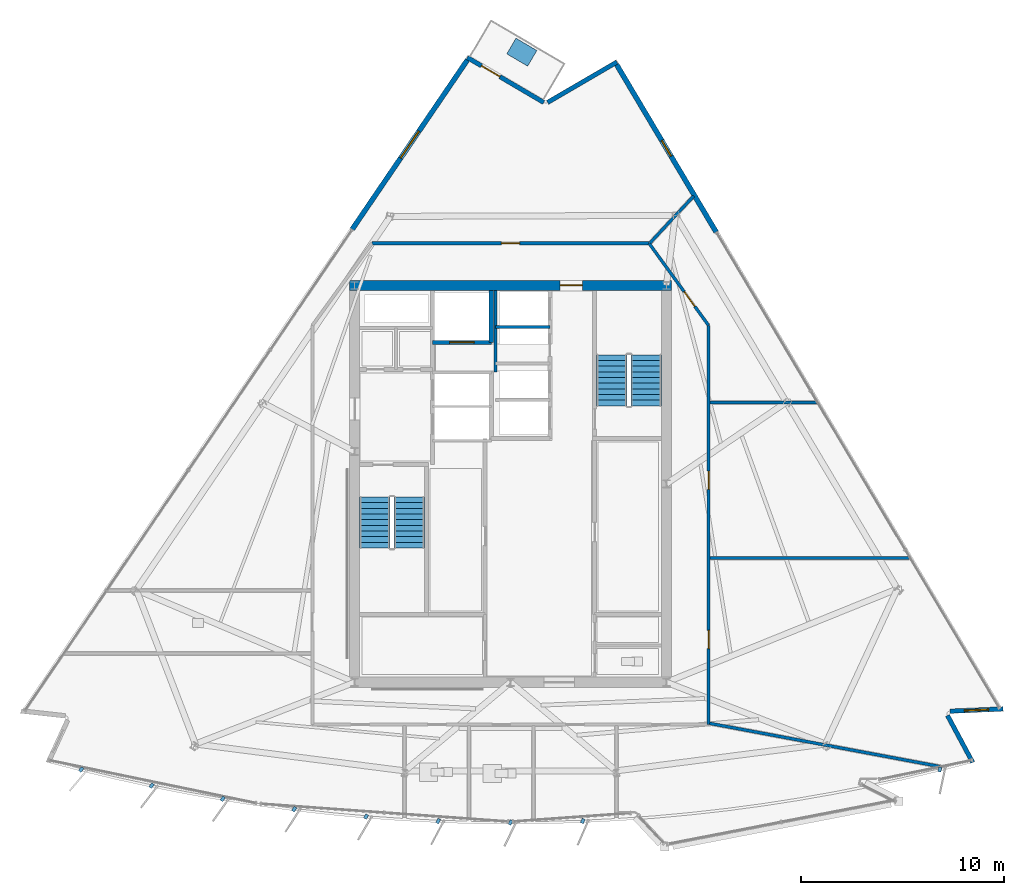
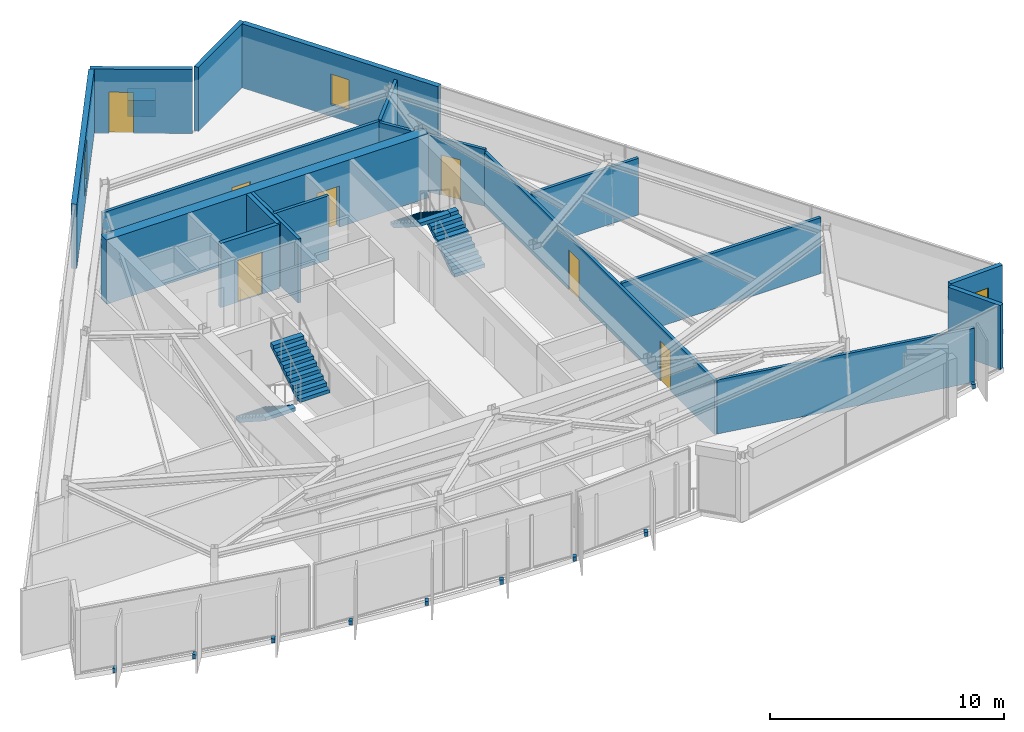
# One storey, part 8 of 13: 18 walls, 10 discrete accessories, 7 doors, 4 stair flights, 3 windows, 10 openings, 2 elements without a shape of their own.
"""IFC4 building model written with IfcOpenShell, lengths in metres."""

from ifc_helpers import new_model, si_unit, direction, frame, frame_2d, origin, origin_2d, place, context, subcontext, project, spatial, polyline, rectangle, outline, extrude, material, layer, layer_set, type_object, element, fill, aggregate, save


model = new_model("IFC4")

# Units and contexts
model_context = context("Model", 3, precision=1e-05, world=origin(), true_north=direction((0.0, 1.0)))
body_context = subcontext(model_context, "Body", "Model", "MODEL_VIEW")
ifc_project = project(units=[si_unit("LENGTHUNIT", "METRE"), si_unit("AREAUNIT", "SQUARE_METRE"), si_unit("VOLUMEUNIT", "CUBIC_METRE"), si_unit("PLANEANGLEUNIT", "RADIAN"), si_unit("MASSUNIT", "GRAM", prefix="KILO")], contexts=[model_context])

# Site, building, storey
site_placement = place(None, origin())
site = spatial("IfcSite", under=ifc_project, at=site_placement, CompositionType="ELEMENT")
building_placement = place(site_placement, origin())
building = spatial("IfcBuilding", under=site, at=building_placement, Name="Savorim Split Tower", CompositionType="ELEMENT")
storey_placement = place(building_placement, frame((0.0, 0.0, 265.199951171875)))
storey = spatial("IfcBuildingStorey", under=building, at=storey_placement, Name="L70", CompositionType="ELEMENT", Elevation=265.199951171875)

# Wall, opening, door
ifc_material_1 = material(Name="Concrete C60/75", Category="concrete")
ifc_layer_1 = layer(ifc_material_1, 0.5)
ifc_layer_set_1 = layer_set([ifc_layer_1], Name="WAL-COR-SH500")
wall_type_1 = type_object("IfcWallType", Name="WAL-COR-SH500", PredefinedType="SHEAR", material=ifc_layer_set_1)
wall_1_placement = place(storey_placement, frame((7.949951171875, 10.199951171875, 0.0), z_axis=(0.0, 0.0, 1.0), x_axis=(-1.0, 0.0, 0.0)))
wall_1 = element("IfcWall", 1, at=wall_1_placement, inside=storey, type_object=wall_type_1, Name="L70 Offset Core North Shear Wall", PredefinedType="SHEAR", context=body_context, shape_type="SweptSolid", body=[
    extrude(rectangle(XDim=15.89990234375, YDim=0.5, at=frame_2d((7.949951171875, 0.0))), origin(), (0.0, 0.0, 1.0), 3.35009765625),
])
opening_1_placement = place(wall_1_placement, frame((4.39990234375, 0.0, 0.0)))
opening_1 = element("IfcOpeningElement", 2, at=opening_1_placement, cuts=wall_1, Name="Opening DI-03", PredefinedType="OPENING", context=body_context, shape_type="SweptSolid", body=[
    extrude(rectangle(XDim=1.10009765625, YDim=2.14990234375, at=frame_2d((0.550048828125, 1.074951171875))), frame((0.0, 0.260009765625, 0.0), z_axis=(0.0, -1.0, 0.0), x_axis=(1.0, 0.0, 0.0)), (0.0, 0.0, 1.0), 0.52001953125),
])
ifc_material_2 = material(Name="Timber Fire Door Leaf", Category="wood")
door_type_1 = type_object("IfcDoorType", Name="DOR-FIR-1100", OperationType="NOTDEFINED", PredefinedType="DOOR", material=ifc_material_2)
door_1_placement = place(opening_1_placement, origin())
door_1 = element("IfcDoor", 3, at=door_1_placement, inside=storey, type_object=door_type_1, Name="DOR-L70-COR-NLOB - L70 North Corridor Lobby Fire Door", OperationType="SINGLE_SWING_LEFT", OverallHeight=2.14990234375, OverallWidth=1.10009765625, PredefinedType="DOOR", context=body_context, shape_type="SweptSolid", body=[
    extrude(rectangle(XDim=1.10009765625, YDim=2.14990234375, at=frame_2d((0.550048828125, 1.074951171875))), frame((0.0, 0.02490234375, 0.0), z_axis=(0.0, -1.0, 0.0), x_axis=(1.0, 0.0, 0.0)), (0.0, 0.0, 1.0), 0.050048828125),
])
fill(opening_1, door_1)

# Wall
ifc_material_3 = material(Name="Precast concrete C40/50", Category="concrete")
ifc_layer_2 = layer(ifc_material_3, 0.219970703125)
ifc_layer_set_2 = layer_set([ifc_layer_2], Name="WAL-EXT-CRN220")
wall_type_2 = type_object("IfcWallType", Name="WAL-EXT-CRN220", PredefinedType="SOLIDWALL", material=ifc_layer_set_2)
wall_2_placement = place(storey_placement, frame((21.58056640625, -11.03955078125, 0.0), z_axis=(0.0, 0.0, 1.0), x_axis=(0.472791303324, -0.881174434208, 0.0)))
element("IfcWall", 4, at=wall_2_placement, inside=storey, type_object=wall_type_2, Name="L70 Notched Corner Facade Wall SE1", PredefinedType="SOLIDWALL", context=body_context, shape_type="SweptSolid", body=[
    extrude(rectangle(XDim=2.626953125, YDim=0.219970703125, at=frame_2d((1.3134765625, 0.0))), origin(), (0.0, 0.0, 1.0), 3.35009765625),
])

# Wall, opening, window
wall_3_placement = place(storey_placement, frame((24.32421875, -10.71435546875, 0.0), z_axis=(0.0, 0.0, 1.0), x_axis=(-0.999095924753, -0.042512740932, 0.0)))
wall_3 = element("IfcWall", 5, at=wall_3_placement, inside=storey, type_object=wall_type_2, Name="L70 Notched Corner Facade Wall SE", PredefinedType="SOLIDWALL", context=body_context, shape_type="SweptSolid", body=[
    extrude(rectangle(XDim=2.62451171875, YDim=0.219970703125, at=frame_2d((1.312255859375, 0.0))), origin(), (0.0, 0.0, 1.0), 3.35009765625),
])
opening_2_placement = place(wall_3_placement, frame((0.712158203125, 0.0, 0.6201171875)))
opening_2 = element("IfcOpeningElement", 6, at=opening_2_placement, cuts=wall_3, Name="Opening WN-08", PredefinedType="OPENING", context=body_context, shape_type="SweptSolid", body=[
    extrude(rectangle(XDim=1.199951171875, YDim=1.800048828125, at=frame_2d((0.60009765625, 0.89990234375))), frame((0.0, 0.119873046875, 0.0), z_axis=(0.0, -1.0, 0.0), x_axis=(1.0, 0.0, 0.0)), (0.0, 0.0, 1.0), 0.239990234375),
])
ifc_material_4 = material(Name="Low-E Operable Double Glazing", Category="glass")
window_type_1 = type_object("IfcWindowType", Name="WIN-TWR-1200x1800", PartitioningType="SINGLE_PANEL", PredefinedType="WINDOW", material=ifc_material_4)
window_1_placement = place(opening_2_placement, origin())
window_1 = element("IfcWindow", 7, at=window_1_placement, inside=storey, type_object=window_type_1, Name="L70 Operable Corner Window SE", OverallHeight=1.800048828125, OverallWidth=1.199951171875, PartitioningType="SINGLE_PANEL", PredefinedType="WINDOW", context=body_context, shape_type="SweptSolid", body=[
    extrude(rectangle(XDim=1.199951171875, YDim=1.800048828125, at=frame_2d((0.60009765625, 0.89990234375))), frame((0.0, 0.030029296875, 0.0), z_axis=(0.0, -1.0, 0.0), x_axis=(1.0, 0.0, 0.0)), (0.0, 0.0, 1.0), 0.06005859375),
])
fill(opening_2, window_1)

# Wall
wall_4_placement = place(storey_placement, frame((1.832275390625, 19.233642578125, 0.0), z_axis=(0.0, 0.0, 1.0), x_axis=(0.86397765749, 0.503530145432, 0.0)))
element("IfcWall", 8, at=wall_4_placement, inside=storey, type_object=wall_type_2, Name="L70 Notched Corner Facade Wall NE1", PredefinedType="SOLIDWALL", context=body_context, shape_type="SweptSolid", body=[
    extrude(rectangle(XDim=3.963623046875, YDim=0.219970703125, at=frame_2d((1.98193359375, 0.0))), origin(), (0.0, 0.0, 1.0), 3.35009765625),
])

# Wall, opening, door
wall_5_placement = place(storey_placement, frame((-2.1337890625, 21.453125, 0.0), z_axis=(0.0, 0.0, 1.0), x_axis=(0.862106131527, -0.506727755292, 0.0)))
wall_5 = element("IfcWall", 9, at=wall_5_placement, inside=storey, type_object=wall_type_2, Name="L70 Notched Corner Facade Wall N", PredefinedType="SOLIDWALL", context=body_context, shape_type="SweptSolid", body=[
    extrude(rectangle(XDim=4.379638671875, YDim=0.219970703125, at=frame_2d((2.18994140625, 0.0))), origin(), (0.0, 0.0, 1.0), 3.35009765625),
])
opening_3_placement = place(wall_5_placement, frame((0.814697265625, 0.0, 0.0)))
opening_3 = element("IfcOpeningElement", 10, at=opening_3_placement, cuts=wall_5, Name="Opening DB-01", PredefinedType="OPENING", context=body_context, shape_type="SweptSolid", body=[
    extrude(rectangle(XDim=1.050048828125, YDim=2.14990234375, at=frame_2d((0.52490234375, 1.074951171875))), frame((0.0, 0.119873046875, 0.0), z_axis=(0.0, -1.0, 0.0), x_axis=(1.0, 0.0, 0.0)), (0.0, 0.0, 1.0), 0.239990234375),
])
ifc_material_5 = material(Name="Charcoal Anodised Aluminium", Category="aluminium")
door_type_2 = type_object("IfcDoorType", Name="DOR-BAL-1050", OperationType="NOTDEFINED", PredefinedType="DOOR", material=ifc_material_5)
door_2_placement = place(opening_3_placement, origin())
door_2 = element("IfcDoor", 11, at=door_2_placement, inside=storey, type_object=door_type_2, Name="DOR-L70-TBAL-N - L70 Planted Tree Balcony Door N", OperationType="SINGLE_SWING_LEFT", OverallHeight=2.14990234375, OverallWidth=1.050048828125, PredefinedType="DOOR", context=body_context, shape_type="SweptSolid", body=[
    extrude(rectangle(XDim=1.050048828125, YDim=2.14990234375, at=frame_2d((0.52490234375, 1.074951171875))), frame((0.0, 0.02490234375, 0.0), z_axis=(0.0, -1.0, 0.0), x_axis=(1.0, 0.0, 0.0)), (0.0, 0.0, 1.0), 0.050048828125),
])
fill(opening_3, door_2)

# Wall, opening, window
ifc_layer_3 = layer(ifc_material_3, 0.25)
ifc_layer_set_3 = layer_set([ifc_layer_3], Name="WAL-EXT-SPN250")
wall_type_3 = type_object("IfcWallType", Name="WAL-EXT-SPN250", PredefinedType="SOLIDWALL", material=ifc_layer_set_3)
wall_6_placement = place(storey_placement, frame((5.240234375, 21.10302734375, 0.0), z_axis=(0.0, 0.0, 1.0), x_axis=(0.511088566076, -0.859528055171, 0.0)))
wall_6 = element("IfcWall", 12, at=wall_6_placement, inside=storey, type_object=wall_type_3, Name="L70 East Operable Window Pier", PredefinedType="SOLIDWALL", context=body_context, shape_type="SweptSolid", body=[
    extrude(rectangle(XDim=9.62158203125, YDim=0.25, at=frame_2d((4.810791015625, 0.0))), origin(), (0.0, 0.0, 1.0), 3.35009765625),
])
opening_4_placement = place(wall_6_placement, frame((4.36083984375, 0.0, 0.6201171875)))
opening_4 = element("IfcOpeningElement", 13, at=opening_4_placement, cuts=wall_6, Name="Opening WN-10", PredefinedType="OPENING", context=body_context, shape_type="SweptSolid", body=[
    extrude(rectangle(XDim=0.89990234375, YDim=1.60009765625, at=frame_2d((0.449951171875, 0.800048828125))), frame((0.0, 0.135009765625, 0.0), z_axis=(0.0, -1.0, 0.0), x_axis=(1.0, 0.0, 0.0)), (0.0, 0.0, 1.0), 0.27001953125),
])
window_type_2 = type_object("IfcWindowType", Name="WIN-TWR-900x1600", PartitioningType="SINGLE_PANEL", PredefinedType="WINDOW", material=ifc_material_4)
window_2_placement = place(opening_4_placement, origin())
window_2 = element("IfcWindow", 14, at=window_2_placement, inside=storey, type_object=window_type_2, Name="L70 East Operable Ventilation Window", OverallHeight=1.60009765625, OverallWidth=0.89990234375, PartitioningType="SINGLE_PANEL", PredefinedType="WINDOW", context=body_context, shape_type="SweptSolid", body=[
    extrude(rectangle(XDim=0.89990234375, YDim=1.60009765625, at=frame_2d((0.449951171875, 0.800048828125))), frame((0.0, 0.030029296875, 0.0), z_axis=(0.0, -1.0, 0.0), x_axis=(1.0, 0.0, 0.0)), (0.0, 0.0, 1.0), 0.06005859375),
])
fill(opening_4, window_2)

wall_7_placement = place(storey_placement, frame((-7.81689453125, 12.970947265625, 0.0), z_axis=(0.0, 0.0, 1.0), x_axis=(0.562474530687, 0.826814611826, 0.0)))
wall_7 = element("IfcWall", 15, at=wall_7_placement, inside=storey, type_object=wall_type_3, Name="L70 West Operable Window Pier", PredefinedType="SOLIDWALL", context=body_context, shape_type="SweptSolid", body=[
    extrude(rectangle(XDim=10.106689453125, YDim=0.25, at=frame_2d((5.05322265625, 0.0))), origin(), (0.0, 0.0, 1.0), 3.35009765625),
])
opening_5_placement = place(wall_7_placement, frame((4.25341796875, 0.0, 0.6201171875)))
opening_5 = element("IfcOpeningElement", 16, at=opening_5_placement, cuts=wall_7, Name="Opening WN-05", PredefinedType="OPENING", context=body_context, shape_type="SweptSolid", body=[
    extrude(rectangle(XDim=1.60009765625, YDim=2.10009765625, at=frame_2d((0.800048828125, 1.050048828125))), frame((0.0, 0.135009765625, 0.0), z_axis=(0.0, -1.0, 0.0), x_axis=(1.0, 0.0, 0.0)), (0.0, 0.0, 1.0), 0.27001953125),
])
window_type_3 = type_object("IfcWindowType", Name="WIN-TWR-1600x2100", PartitioningType="DOUBLE_PANEL_VERTICAL", PredefinedType="WINDOW", material=ifc_material_4)
window_3_placement = place(opening_5_placement, origin())
window_3 = element("IfcWindow", 17, at=window_3_placement, inside=storey, type_object=window_type_3, Name="L70 West Operable Ventilation Window", OverallHeight=2.10009765625, OverallWidth=1.60009765625, PartitioningType="SINGLE_PANEL", PredefinedType="WINDOW", context=body_context, shape_type="SweptSolid", body=[
    extrude(rectangle(XDim=1.60009765625, YDim=2.10009765625, at=frame_2d((0.800048828125, 1.050048828125))), frame((0.0, 0.030029296875, 0.0), z_axis=(0.0, -1.0, 0.0), x_axis=(1.0, 0.0, 0.0)), (0.0, 0.0, 1.0), 0.06005859375),
])
fill(opening_5, window_3)

# Wall, opening, door
ifc_material_6 = material(Name="Concrete C50/60", Category="concrete")
ifc_layer_4 = layer(ifc_material_6, 0.199951171875)
ifc_layer_set_4 = layer_set([ifc_layer_4], Name="WAL-INT-RC200")
wall_type_4 = type_object("IfcWallType", Name="WAL-INT-RC200", PredefinedType="SOLIDWALL", material=ifc_layer_set_4)
wall_8_placement = place(storey_placement, frame((-3.85009765625, 7.3798828125, 0.0), z_axis=(0.0, 0.0, 1.0), x_axis=(1.0, 0.0, 0.0)))
wall_8 = element("IfcWall", 18, at=wall_8_placement, inside=storey, type_object=wall_type_4, Name="L70 Partition W-L70-SVLS", PredefinedType="SOLIDWALL", context=body_context, shape_type="SweptSolid", body=[
    extrude(rectangle(XDim=2.900146484375, YDim=0.199951171875, at=frame_2d((1.4501953125, 0.0))), origin(), (0.0, 0.0, 1.0), 3.35009765625),
])
opening_6_placement = place(wall_8_placement, frame((0.85009765625, 0.0, 0.0)))
opening_6 = element("IfcOpeningElement", 19, at=opening_6_placement, cuts=wall_8, Name="Opening LD-SV", PredefinedType="OPENING", context=body_context, shape_type="SweptSolid", body=[
    extrude(rectangle(XDim=1.199951171875, YDim=2.199951171875, at=frame_2d((0.60009765625, 1.10009765625))), frame((0.0, 0.10986328125, 0.0), z_axis=(0.0, -1.0, 0.0), x_axis=(1.0, 0.0, 0.0)), (0.0, 0.0, 1.0), 0.219970703125),
])
door_type_3 = type_object("IfcDoorType", Name="DOR-SLD-SV1200", OperationType="NOTDEFINED", PredefinedType="DOOR", material=ifc_material_5)
door_3_placement = place(opening_6_placement, origin())
door_3 = element("IfcDoor", 20, at=door_3_placement, inside=storey, type_object=door_type_3, Name="DR-L70-LD-SVL1 - L70 Service Lift SVL-1 Sliding Landing Door", OperationType="DOUBLE_DOOR_SLIDING", OverallHeight=2.199951171875, OverallWidth=1.199951171875, PredefinedType="DOOR", context=body_context, shape_type="SweptSolid", body=[
    extrude(rectangle(XDim=1.199951171875, YDim=2.199951171875, at=frame_2d((0.60009765625, 1.10009765625))), frame((0.0, 0.02490234375, 0.0), z_axis=(0.0, -1.0, 0.0), x_axis=(1.0, 0.0, 0.0)), (0.0, 0.0, 1.0), 0.050048828125),
])
fill(opening_6, door_3)

# Walls
wall_9_placement = place(storey_placement, frame((-0.949951171875, 7.3798828125, 0.0), z_axis=(0.0, 0.0, 1.0), x_axis=(0.0, 1.0, 0.0)))
element("IfcWall", 21, at=wall_9_placement, inside=storey, type_object=wall_type_4, Name="L70 Partition W-L70-SVLE", PredefinedType="SOLIDWALL", context=body_context, shape_type="SweptSolid", body=[
    extrude(rectangle(XDim=2.565185546875, YDim=0.199951171875, at=frame_2d((1.28271484375, 0.0))), origin(), (0.0, 0.0, 1.0), 3.35009765625),
])
ifc_material_7 = material(Name="Acoustic Gypsum Partition Board")
ifc_layer_5 = layer(ifc_material_7, 0.14990234375)
ifc_layer_set_5 = layer_set([ifc_layer_5], Name="WAL-PAR-150")
wall_type_5 = type_object("IfcWallType", Name="WAL-PAR-150", PredefinedType="PARTITIONING", material=ifc_layer_set_5)
wall_10_placement = place(storey_placement, frame((-0.75, 5.919921875, 0.0), z_axis=(0.0, 0.0, 1.0), x_axis=(0.0, 1.0, 0.0)))
element("IfcWall", 22, at=wall_10_placement, inside=storey, type_object=wall_type_5, Name="L70 Partition W-L70-B3WEST", PredefinedType="PARTITIONING", context=body_context, shape_type="SweptSolid", body=[
    extrude(rectangle(XDim=4.025146484375, YDim=0.14990234375, at=frame_2d((2.0126953125, 0.0))), origin(), (0.0, 0.0, 1.0), 3.35009765625),
])
wall_11_placement = place(storey_placement, frame((-0.75, 8.14990234375, 0.0), z_axis=(0.0, 0.0, 1.0), x_axis=(1.0, 0.0, 0.0)))
element("IfcWall", 23, at=wall_11_placement, inside=storey, type_object=wall_type_5, Name="L70 Partition W-L70-B3DIV3", PredefinedType="PARTITIONING", context=body_context, shape_type="SweptSolid", body=[
    extrude(rectangle(XDim=2.699951171875, YDim=0.14990234375, at=frame_2d((1.35009765625, 0.0))), origin(), (0.0, 0.0, 1.0), 3.35009765625),
])

# Wall, opening, door
wall_12_placement = place(storey_placement, frame((-6.8408203125, 12.280029296875, 0.0), z_axis=(0.0, 0.0, 1.0), x_axis=(1.0, 0.0, 0.0)))
wall_12 = element("IfcWall", 24, at=wall_12_placement, inside=storey, type_object=wall_type_5, Name="L70 Partition W-L70-COR-03", PredefinedType="PARTITIONING", context=body_context, shape_type="SweptSolid", body=[
    extrude(rectangle(XDim=13.681640625, YDim=0.14990234375, at=frame_2d((6.8408203125, 0.0))), origin(), (0.0, 0.0, 1.0), 3.01513671875),
])
opening_7_placement = place(wall_12_placement, frame((6.390869140625, 0.0, 0.0)))
opening_7 = element("IfcOpeningElement", 25, at=opening_7_placement, cuts=wall_12, Name="Opening DI-06", PredefinedType="OPENING", context=body_context, shape_type="SweptSolid", body=[
    extrude(rectangle(XDim=0.89990234375, YDim=2.10009765625, at=frame_2d((0.449951171875, 1.050048828125))), frame((0.0, 0.0849609375, 0.0), z_axis=(0.0, -1.0, 0.0), x_axis=(1.0, 0.0, 0.0)), (0.0, 0.0, 1.0), 0.169921875),
])
door_type_4 = type_object("IfcDoorType", Name="DOR-FIR-900", OperationType="NOTDEFINED", PredefinedType="DOOR", material=ifc_material_2)
door_4_placement = place(opening_7_placement, origin())
door_4 = element("IfcDoor", 26, at=door_4_placement, inside=storey, type_object=door_type_4, Name="DR-L70-RM10 - L70 Co-Working Commons Entry Door", OperationType="SINGLE_SWING_LEFT", OverallHeight=2.10009765625, OverallWidth=0.89990234375, PredefinedType="DOOR", context=body_context, shape_type="SweptSolid", body=[
    extrude(rectangle(XDim=0.89990234375, YDim=2.10009765625, at=frame_2d((0.449951171875, 1.050048828125))), frame((0.0, 0.02490234375, 0.0), z_axis=(0.0, -1.0, 0.0), x_axis=(1.0, 0.0, 0.0)), (0.0, 0.0, 1.0), 0.050048828125),
])
fill(opening_7, door_4)

wall_13_placement = place(storey_placement, frame((6.8408203125, 12.280029296875, 0.0), z_axis=(0.0, 0.0, 1.0), x_axis=(0.586956386413, -0.809618552436, 0.0)))
wall_13 = element("IfcWall", 27, at=wall_13_placement, inside=storey, type_object=wall_type_5, Name="L70 Partition W-L70-COR-04", PredefinedType="PARTITIONING", context=body_context, shape_type="SweptSolid", body=[
    extrude(rectangle(XDim=5.007568359375, YDim=0.14990234375, at=frame_2d((2.50390625, 0.0))), origin(), (0.0, 0.0, 1.0), 2.965087890625),
])
opening_8_placement = place(wall_13_placement, frame((2.95361328125, 0.0, 0.0)))
opening_8 = element("IfcOpeningElement", 28, at=opening_8_placement, cuts=wall_13, Name="Opening DI-06", PredefinedType="OPENING", context=body_context, shape_type="SweptSolid", body=[
    extrude(rectangle(XDim=0.89990234375, YDim=2.10009765625, at=frame_2d((0.449951171875, 1.050048828125))), frame((0.0, 0.0849609375, 0.0), z_axis=(0.0, -1.0, 0.0), x_axis=(1.0, 0.0, 0.0)), (0.0, 0.0, 1.0), 0.169921875),
])
door_5_placement = place(opening_8_placement, origin())
door_5 = element("IfcDoor", 29, at=door_5_placement, inside=storey, type_object=door_type_4, Name="DR-L70-RM09 - L70 Quiet Study Room Entry Door", OperationType="SINGLE_SWING_RIGHT", OverallHeight=2.10009765625, OverallWidth=0.89990234375, PredefinedType="DOOR", context=body_context, shape_type="SweptSolid", body=[
    extrude(rectangle(XDim=0.89990234375, YDim=2.10009765625, at=frame_2d((0.449951171875, 1.050048828125))), frame((0.0, 0.02490234375, 0.0), z_axis=(0.0, -1.0, 0.0), x_axis=(1.0, 0.0, 0.0)), (0.0, 0.0, 1.0), 0.050048828125),
])
fill(opening_8, door_5)

# Wall, openings, doors
wall_14_placement = place(storey_placement, frame((9.780029296875, 8.225830078125, 0.0), z_axis=(0.0, 0.0, 1.0), x_axis=(0.0, -1.0, 0.0)))
wall_14 = element("IfcWall", 30, at=wall_14_placement, inside=storey, type_object=wall_type_5, Name="L70 Partition W-L70-COR-05", PredefinedType="PARTITIONING", context=body_context, shape_type="SweptSolid", body=[
    extrude(rectangle(XDim=19.705810546875, YDim=0.14990234375, at=frame_2d((9.85302734375, 0.0))), origin(), (0.0, 0.0, 1.0), 2.824951171875),
])
opening_9_placement = place(wall_14_placement, frame((15.06298828125, 0.0, 0.0)))
opening_9 = element("IfcOpeningElement", 31, at=opening_9_placement, cuts=wall_14, Name="Opening DI-06", PredefinedType="OPENING", context=body_context, shape_type="SweptSolid", body=[
    extrude(rectangle(XDim=0.89990234375, YDim=2.10009765625, at=frame_2d((0.449951171875, 1.050048828125))), frame((0.0, 0.0849609375, 0.0), z_axis=(0.0, -1.0, 0.0), x_axis=(1.0, 0.0, 0.0)), (0.0, 0.0, 1.0), 0.169921875),
])
opening_10_placement = place(wall_14_placement, frame((7.203125, 0.0, 0.0)))
opening_10 = element("IfcOpeningElement", 32, at=opening_10_placement, cuts=wall_14, Name="Opening DI-06", PredefinedType="OPENING", context=body_context, shape_type="SweptSolid", body=[
    extrude(rectangle(XDim=0.89990234375, YDim=2.10009765625, at=frame_2d((0.449951171875, 1.050048828125))), frame((0.0, 0.0849609375, 0.0), z_axis=(0.0, -1.0, 0.0), x_axis=(1.0, 0.0, 0.0)), (0.0, 0.0, 1.0), 0.169921875),
])
door_6_placement = place(opening_9_placement, origin())
door_6 = element("IfcDoor", 33, at=door_6_placement, inside=storey, type_object=door_type_4, Name="DR-L70-RM07 - L70 Co-Working Commons Entry Door", OperationType="SINGLE_SWING_RIGHT", OverallHeight=2.10009765625, OverallWidth=0.89990234375, PredefinedType="DOOR", context=body_context, shape_type="SweptSolid", body=[
    extrude(rectangle(XDim=0.89990234375, YDim=2.10009765625, at=frame_2d((0.449951171875, 1.050048828125))), frame((0.0, 0.02490234375, 0.0), z_axis=(0.0, -1.0, 0.0), x_axis=(1.0, 0.0, 0.0)), (0.0, 0.0, 1.0), 0.050048828125),
])
fill(opening_9, door_6)
door_7_placement = place(opening_10_placement, origin())
door_7 = element("IfcDoor", 34, at=door_7_placement, inside=storey, type_object=door_type_4, Name="DR-L70-RM08 - L70 Co-Working Commons Entry Door", OperationType="SINGLE_SWING_LEFT", OverallHeight=2.10009765625, OverallWidth=0.89990234375, PredefinedType="DOOR", context=body_context, shape_type="SweptSolid", body=[
    extrude(rectangle(XDim=0.89990234375, YDim=2.10009765625, at=frame_2d((0.449951171875, 1.050048828125))), frame((0.0, 0.02490234375, 0.0), z_axis=(0.0, -1.0, 0.0), x_axis=(1.0, 0.0, 0.0)), (0.0, 0.0, 1.0), 0.050048828125),
])
fill(opening_10, door_7)

# Walls
wall_15_placement = place(storey_placement, frame((9.837158203125, -11.42724609375, 0.0), z_axis=(0.0, 0.0, 1.0), x_axis=(0.982858230515, -0.184362953733, 0.0)))
element("IfcWall", 35, at=wall_15_placement, inside=storey, type_object=wall_type_5, Name="L70 Partition W-L70-PRAD04", PredefinedType="PARTITIONING", context=body_context, shape_type="SweptSolid", body=[
    extrude(rectangle(XDim=11.6865234375, YDim=0.14990234375, at=frame_2d((5.84326171875, 0.0))), origin(), (0.0, 0.0, 1.0), 2.824951171875),
])
wall_16_placement = place(storey_placement, frame((9.840087890625, 4.417724609375, 0.0), z_axis=(0.0, 0.0, 1.0), x_axis=(1.0, 0.0, 0.0)))
element("IfcWall", 36, at=wall_16_placement, inside=storey, type_object=wall_type_5, Name="L70 Partition W-L70-PRAD06", PredefinedType="PARTITIONING", context=body_context, shape_type="SweptSolid", body=[
    extrude(rectangle(XDim=5.26318359375, YDim=0.14990234375, at=frame_2d((2.631591796875, 0.0))), origin(), (0.0, 0.0, 1.0), 2.965087890625),
])
wall_17_placement = place(storey_placement, frame((6.895751953125, 12.302001953125, 0.0), z_axis=(0.0, 0.0, 1.0), x_axis=(0.68140422013, 0.731907295215, 0.0)))
element("IfcWall", 37, at=wall_17_placement, inside=storey, type_object=wall_type_5, Name="L70 Partition W-L70-PRAD07", PredefinedType="PARTITIONING", context=body_context, shape_type="SweptSolid", body=[
    extrude(rectangle(XDim=3.15185546875, YDim=0.14990234375, at=frame_2d((1.575927734375, 0.0))), origin(), (0.0, 0.0, 1.0), 3.01513671875),
])
wall_18_placement = place(storey_placement, frame((9.840087890625, -3.2724609375, 0.0), z_axis=(0.0, 0.0, 1.0), x_axis=(1.0, 0.0, 0.0)))
element("IfcWall", 38, at=wall_18_placement, inside=storey, type_object=wall_type_5, Name="L70 Partition W-L70-SUB03", PredefinedType="PARTITIONING", context=body_context, shape_type="SweptSolid", body=[
    extrude(rectangle(XDim=9.8359375, YDim=0.14990234375, at=frame_2d((4.91796875, 0.0))), origin(), (0.0, 0.0, 1.0), 2.925048828125),
])

# Stair, stair flights
stair_type = type_object("IfcStairType", Name="STR-DOG-3600", PredefinedType="HALF_TURN_STAIR", material=ifc_material_6)
stair_1_placement = place(storey_placement, origin())
stair_1 = element("IfcStair", 39, at=stair_1_placement, inside=storey, type_object=stair_type, Name="L70 Core Protected Exit Stair ST-1", PredefinedType="HALF_TURN_STAIR")
stair_flight_type = type_object("IfcStairFlightType", Name="SFL-DOG-3600", PredefinedType="STRAIGHT", material=ifc_material_6)
stair_flight_1_placement = place(storey_placement, frame((-6.699951171875, -0.25, 0.0), z_axis=(0.0, 0.0, 1.0), x_axis=(0.0, -1.0, 0.0)))
stair_flight_1 = element("IfcStairFlight", 40, at=stair_flight_1_placement, type_object=stair_flight_type, Name="ST-1 flight 1", NumberOfRisers=10, NumberOfTreads=9, PredefinedType="STRAIGHT", RiserHeight=0.18, TreadLength=0.28, context=body_context, shape_type="SweptSolid", body=[
    extrude(outline(polyline([(0.0, 0.0), (0.0, 0.179931640625), (0.280029296875, 0.179931640625), (0.280029296875, 0.360107421875), (0.56005859375, 0.360107421875), (0.56005859375, 0.5400390625), (0.840087890625, 0.5400390625), (0.840087890625, 0.719970703125), (1.1201171875, 0.719970703125), (1.1201171875, 0.89990234375), (1.39990234375, 0.89990234375), (1.39990234375, 1.080078125), (1.679931640625, 1.080078125), (1.679931640625, 1.260009765625), (1.9599609375, 1.260009765625), (1.9599609375, 1.43994140625), (2.239990234375, 1.43994140625), (2.239990234375, 1.6201171875), (2.52001953125, 1.6201171875), (2.52001953125, 1.800048828125), (2.52001953125, 1.44189453125), (0.277099609375, 0.0), (0.0, 0.0)])), frame((0.0, 0.75, 0.0), z_axis=(0.0, -1.0, 0.0), x_axis=(1.0, 0.0, 0.0)), (0.0, 0.0, 1.0), 1.5),
])
stair_flight_2_placement = place(storey_placement, frame((-5.0, -2.77001953125, 1.800048828125), z_axis=(0.0, 0.0, 1.0), x_axis=(0.0, 1.0, 0.0)))
stair_flight_2 = element("IfcStairFlight", 41, at=stair_flight_2_placement, type_object=stair_flight_type, Name="ST-1 flight 2", NumberOfRisers=10, NumberOfTreads=9, PredefinedType="STRAIGHT", RiserHeight=0.18, TreadLength=0.28, context=body_context, shape_type="SweptSolid", body=[
    extrude(outline(polyline([(0.0, 0.0), (0.0, 0.179931640625), (0.280029296875, 0.179931640625), (0.280029296875, 0.360107421875), (0.56005859375, 0.360107421875), (0.56005859375, 0.5400390625), (0.840087890625, 0.5400390625), (0.840087890625, 0.719970703125), (1.1201171875, 0.719970703125), (1.1201171875, 0.89990234375), (1.39990234375, 0.89990234375), (1.39990234375, 1.080078125), (1.679931640625, 1.080078125), (1.679931640625, 1.260009765625), (1.9599609375, 1.260009765625), (1.9599609375, 1.43994140625), (2.239990234375, 1.43994140625), (2.239990234375, 1.6201171875), (2.52001953125, 1.6201171875), (2.52001953125, 1.800048828125), (2.52001953125, 1.44189453125), (0.277099609375, 0.0), (0.0, 0.0)])), frame((0.0, 0.75, 0.0), z_axis=(0.0, -1.0, 0.0), x_axis=(1.0, 0.0, 0.0)), (0.0, 0.0, 1.0), 1.5),
])
aggregate(stair_1, [stair_flight_1, stair_flight_2])

stair_2_placement = place(storey_placement, origin())
stair_2 = element("IfcStair", 42, at=stair_2_placement, inside=storey, type_object=stair_type, Name="L70 Core Protected Exit Stair ST-2", PredefinedType="HALF_TURN_STAIR")
stair_flight_3_placement = place(storey_placement, frame((6.699951171875, 4.25, 0.0), z_axis=(0.0, 0.0, 1.0), x_axis=(0.0, 1.0, 0.0)))
stair_flight_3 = element("IfcStairFlight", 43, at=stair_flight_3_placement, type_object=stair_flight_type, Name="ST-2 flight 1", NumberOfRisers=10, NumberOfTreads=9, PredefinedType="STRAIGHT", RiserHeight=0.18, TreadLength=0.28, context=body_context, shape_type="SweptSolid", body=[
    extrude(outline(polyline([(0.0, 0.0), (0.0, 0.179931640625), (0.280029296875, 0.179931640625), (0.280029296875, 0.360107421875), (0.56005859375, 0.360107421875), (0.56005859375, 0.5400390625), (0.840087890625, 0.5400390625), (0.840087890625, 0.719970703125), (1.1201171875, 0.719970703125), (1.1201171875, 0.89990234375), (1.39990234375, 0.89990234375), (1.39990234375, 1.080078125), (1.679931640625, 1.080078125), (1.679931640625, 1.260009765625), (1.9599609375, 1.260009765625), (1.9599609375, 1.43994140625), (2.239990234375, 1.43994140625), (2.239990234375, 1.6201171875), (2.52001953125, 1.6201171875), (2.52001953125, 1.800048828125), (2.52001953125, 1.44189453125), (0.277099609375, 0.0), (0.0, 0.0)])), frame((0.0, 0.75, 0.0), z_axis=(0.0, -1.0, 0.0), x_axis=(1.0, 0.0, 0.0)), (0.0, 0.0, 1.0), 1.5),
])
stair_flight_4_placement = place(storey_placement, frame((5.0, 6.77001953125, 1.800048828125), z_axis=(0.0, 0.0, 1.0), x_axis=(0.0, -1.0, 0.0)))
stair_flight_4 = element("IfcStairFlight", 44, at=stair_flight_4_placement, type_object=stair_flight_type, Name="ST-2 flight 2", NumberOfRisers=10, NumberOfTreads=9, PredefinedType="STRAIGHT", RiserHeight=0.18, TreadLength=0.28, context=body_context, shape_type="SweptSolid", body=[
    extrude(outline(polyline([(0.0, 0.0), (0.0, 0.179931640625), (0.280029296875, 0.179931640625), (0.280029296875, 0.360107421875), (0.56005859375, 0.360107421875), (0.56005859375, 0.5400390625), (0.840087890625, 0.5400390625), (0.840087890625, 0.719970703125), (1.1201171875, 0.719970703125), (1.1201171875, 0.89990234375), (1.39990234375, 0.89990234375), (1.39990234375, 1.080078125), (1.679931640625, 1.080078125), (1.679931640625, 1.260009765625), (1.9599609375, 1.260009765625), (1.9599609375, 1.43994140625), (2.239990234375, 1.43994140625), (2.239990234375, 1.6201171875), (2.52001953125, 1.6201171875), (2.52001953125, 1.800048828125), (2.52001953125, 1.44189453125), (0.277099609375, 0.0), (0.0, 0.0)])), frame((0.0, 0.75, 0.0), z_axis=(0.0, -1.0, 0.0), x_axis=(1.0, 0.0, 0.0)), (0.0, 0.0, 1.0), 1.5),
])
aggregate(stair_2, [stair_flight_3, stair_flight_4])

# Discrete accessories
ifc_material_8 = material(Name="Steel S355", Category="steel")
discrete_accessory_type_1 = type_object("IfcDiscreteAccessoryType", Name="ACC-BRK-FIN", PredefinedType="BRACKET", material=ifc_material_8)
for number, where, z_axis, x_axis, name in (
    (45, (-21.19970703125, -13.70703125, -0.18994140625), (0.0, 0.0, 1.0), (-0.643719022682, -0.765261928909, 0.0), "L70 Fin Slab-Edge Cleat Bracket 01"),
    (46, (-17.720947265625, -14.503662109375, -0.18994140625), (0.0, 0.0, 1.0), (-0.611868076908, -0.790959832394, 0.0), "L70 Fin Slab-Edge Cleat Bracket 02"),
    (47, (-14.21240234375, -15.1572265625, -0.18994140625), (0.0, 0.0, 1.0), (-0.578993757737, -0.815331974414, 0.0), "L70 Fin Slab-Edge Cleat Bracket 03"),
    (48, (-10.680419921875, -15.666748046875, -0.18994140625), (0.0, 0.0, 1.0), (-0.545148321708, -0.838339613366, 0.0), "L70 Fin Slab-Edge Cleat Bracket 04"),
    (49, (-7.130126953125, -16.03125, -0.18994140625), (0.0, 0.0, 1.0), (-0.510391336723, -0.859942255851, 0.0), "L70 Fin Slab-Edge Cleat Bracket 05"),
    (50, (-3.568115234375, -16.250244140625, -0.18994140625), (0.0, 0.0, 1.0), (-0.474778051978, -0.880105562623, 0.0), "L70 Fin Slab-Edge Cleat Bracket 06"),
    (51, (0.0, -16.3232421875, -0.18994140625), (0.0, 0.0, 1.0), (-0.438371146789, -0.898794046299, 0.0), "L70 Fin Slab-Edge Cleat Bracket 07"),
    (52, (3.568115234375, -16.250244140625, -0.18994140625), (0.0, 0.0, 1.0), (-0.401230091723, -0.915977299662, 0.0), "L70 Fin Slab-Edge Cleat Bracket 08"),
    (53, (21.19970703125, -13.70703125, -0.18994140625), (0.0, 0.0, 1.0), (-0.206721626106, -0.978399800337, 0.0), "L70 Fin Slab-Edge Cleat Bracket 13"),
):
    element("IfcDiscreteAccessory", number, at=place(storey_placement, frame(where, z_axis=z_axis, x_axis=x_axis)), inside=storey, type_object=discrete_accessory_type_1, Name=name, PredefinedType="BRACKET", context=body_context, shape_type="SweptSolid", body=[
        extrude(rectangle(XDim=0.239990234375, YDim=0.159912109375, at=origin_2d()), origin(), (0.0, 0.0, 1.0), 0.219970703125),
    ])
ifc_material_9 = material(Name="Architectural Precast Planter Concrete C40/50", Category="concrete")
discrete_accessory_type_2 = type_object("IfcDiscreteAccessoryType", Name="ACC-PLN-TREE", PredefinedType="USERDEFINED", material=ifc_material_9)
discrete_accessory_placement = place(storey_placement, frame((0.5595703125, 21.71435546875, 0.0), z_axis=(0.0, 0.0, 1.0), x_axis=(-0.862124808883, 0.50669597779, 0.0)))
element("IfcDiscreteAccessory", 54, at=discrete_accessory_placement, inside=storey, type_object=discrete_accessory_type_2, Name="L70 Balcony Precast Tree Planter N", ObjectType="PLANTER", PredefinedType="USERDEFINED", context=body_context, shape_type="SweptSolid", body=[
    extrude(rectangle(XDim=1.199951171875, YDim=0.89990234375, at=origin_2d()), origin(), (0.0, 0.0, 1.0), 0.85009765625),
])

save(model, "model.ifc")
